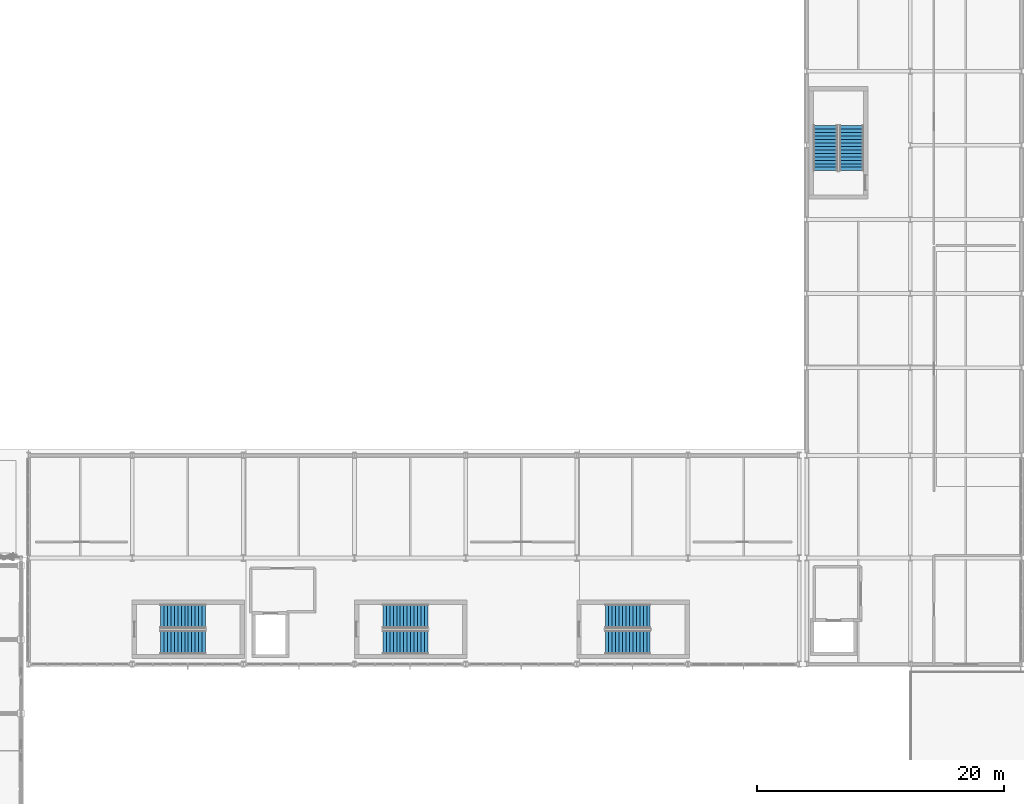
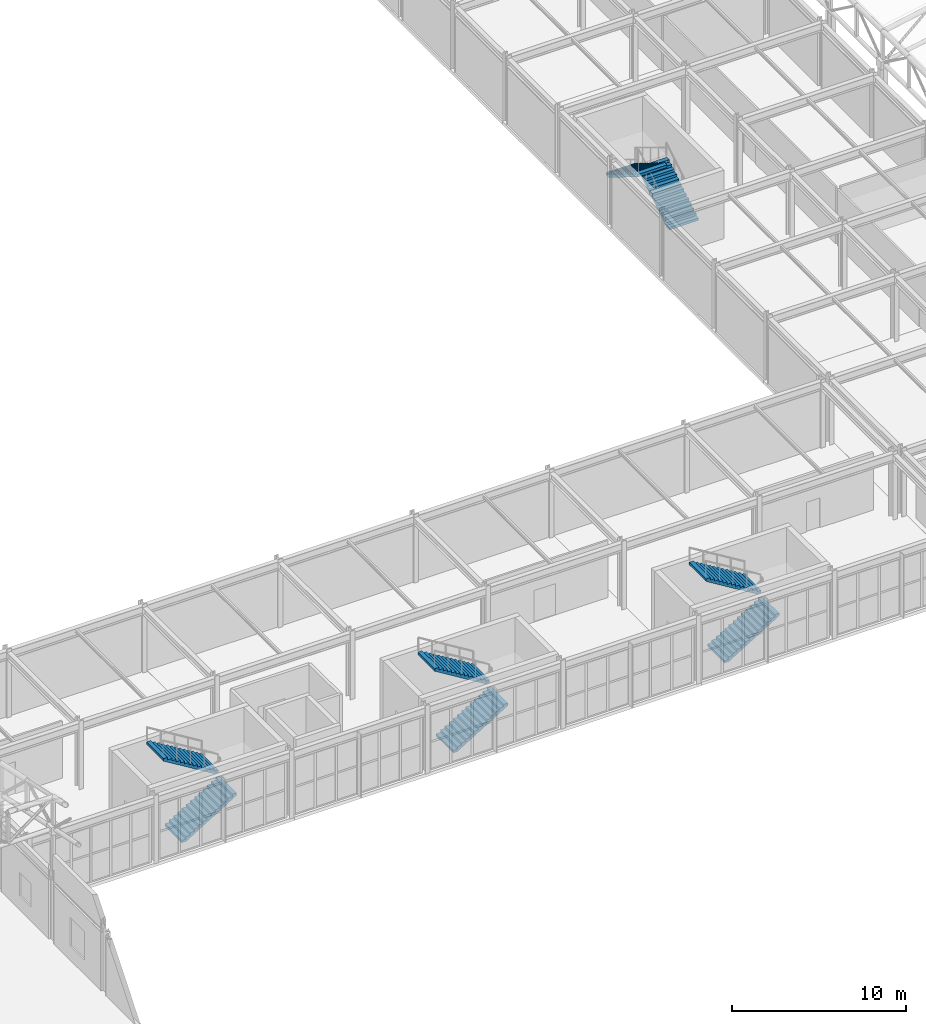
# One storey, part 98 of 112: 8 stair flights, 4 elements without a shape of their own.
"""IFC4 building model written with IfcOpenShell, lengths in metres."""

from ifc_helpers import new_model, si_unit, direction, frame, origin, place, context, subcontext, project, spatial, polyline, outline, extrude, material, type_object, element, aggregate, save


model = new_model("IFC4")

# Units and contexts
model_context = context("Model", 3, precision=1e-05, world=origin(), true_north=direction((0.0, 1.0)))
body_context = subcontext(model_context, "Body", "Model", "MODEL_VIEW")
ifc_project = project(units=[si_unit("LENGTHUNIT", "METRE"), si_unit("AREAUNIT", "SQUARE_METRE"), si_unit("VOLUMEUNIT", "CUBIC_METRE"), si_unit("PLANEANGLEUNIT", "RADIAN"), si_unit("MASSUNIT", "GRAM", prefix="KILO")], contexts=[model_context])

# Site, building, storey
site_placement = place(None, origin())
site = spatial("IfcSite", under=ifc_project, at=site_placement, CompositionType="ELEMENT")
building_placement = place(site_placement, origin())
building = spatial("IfcBuilding", under=site, at=building_placement, Name="Kaldris Quays Convention Centre", CompositionType="ELEMENT")
storey_placement = place(building_placement, frame((0.0, 0.0, 16.800048828125)))
storey = spatial("IfcBuildingStorey", under=building, at=storey_placement, Name="L03", CompositionType="ELEMENT", Elevation=16.800048828125)

# Stair, stair flights
ifc_material = material(Name="Concrete C35/45", Category="concrete")
stair_type = type_object("IfcStairType", Name="DOGLEG ESCAPE STAIR STF3", PredefinedType="TWO_STRAIGHT_RUN_STAIR", material=ifc_material)
stair_1_placement = place(storey_placement, origin())
stair_1 = element("IfcStair", 1, at=stair_1_placement, inside=storey, type_object=stair_type, Name="L03 Escape Stair ST11", PredefinedType="TWO_STRAIGHT_RUN_STAIR")
stair_flight_type = type_object("IfcStairFlightType", Name="STAIR FLIGHT SF03", PredefinedType="STRAIGHT", material=ifc_material)
stair_flight_1_placement = place(storey_placement, frame((94.300048828125, 39.77490234375, 0.0), z_axis=(0.0, 0.0, 1.0), x_axis=(1.0, 0.0, 0.0)))
stair_flight_1 = element("IfcStairFlight", 2, at=stair_flight_1_placement, type_object=stair_flight_type, Name="STF3 flight 1", NumberOfRisers=14, NumberOfTreads=13, PredefinedType="STRAIGHT", RiserHeight=0.171428571, TreadLength=0.28, context=body_context, shape_type="SweptSolid", body=[
    extrude(outline(polyline([(0.0, 0.0), (0.0, 0.17138671875), (0.280029296875, 0.17138671875), (0.280029296875, 0.3427734375), (0.56005859375, 0.3427734375), (0.56005859375, 0.514404296875), (0.840087890625, 0.514404296875), (0.840087890625, 0.685791015625), (1.1201171875, 0.685791015625), (1.1201171875, 0.857177734375), (1.39990234375, 0.857177734375), (1.39990234375, 1.028564453125), (1.679931640625, 1.028564453125), (1.679931640625, 1.199951171875), (1.9599609375, 1.199951171875), (1.9599609375, 1.371337890625), (2.239990234375, 1.371337890625), (2.239990234375, 1.54296875), (2.52001953125, 1.54296875), (2.52001953125, 1.71435546875), (2.800048828125, 1.71435546875), (2.800048828125, 1.8857421875), (3.080078125, 1.8857421875), (3.080078125, 2.05712890625), (3.360107421875, 2.05712890625), (3.360107421875, 2.228515625), (3.639892578125, 2.228515625), (3.639892578125, 2.39990234375), (3.639892578125, 2.052734375), (0.287109375, 0.0), (0.0, 0.0)])), frame((0.0, 0.97509765625, 0.0), z_axis=(0.0, -1.0, 0.0), x_axis=(1.0, 0.0, 0.0)), (0.0, 0.0, 1.0), 1.949951171875),
])
stair_flight_2_placement = place(storey_placement, frame((97.93994140625, 41.875, 2.39990234375), z_axis=(0.0, 0.0, 1.0), x_axis=(-1.0, 0.0, 0.0)))
stair_flight_2 = element("IfcStairFlight", 3, at=stair_flight_2_placement, type_object=stair_flight_type, Name="STF3 flight 2", NumberOfRisers=14, NumberOfTreads=13, PredefinedType="STRAIGHT", RiserHeight=0.171428571, TreadLength=0.28, context=body_context, shape_type="SweptSolid", body=[
    extrude(outline(polyline([(0.0, 0.0), (0.0, 0.17138671875), (0.280029296875, 0.17138671875), (0.280029296875, 0.3427734375), (0.56005859375, 0.3427734375), (0.56005859375, 0.514404296875), (0.840087890625, 0.514404296875), (0.840087890625, 0.685791015625), (1.1201171875, 0.685791015625), (1.1201171875, 0.857177734375), (1.39990234375, 0.857177734375), (1.39990234375, 1.028564453125), (1.679931640625, 1.028564453125), (1.679931640625, 1.199951171875), (1.9599609375, 1.199951171875), (1.9599609375, 1.371337890625), (2.239990234375, 1.371337890625), (2.239990234375, 1.54296875), (2.52001953125, 1.54296875), (2.52001953125, 1.71435546875), (2.800048828125, 1.71435546875), (2.800048828125, 1.8857421875), (3.080078125, 1.8857421875), (3.080078125, 2.05712890625), (3.360107421875, 2.05712890625), (3.360107421875, 2.228515625), (3.639892578125, 2.228515625), (3.639892578125, 2.39990234375), (3.639892578125, 2.052734375), (0.287109375, 0.0), (0.0, 0.0)])), frame((0.0, 0.97509765625, 0.0), z_axis=(0.0, -1.0, 0.0), x_axis=(1.0, 0.0, 0.0)), (0.0, 0.0, 1.0), 1.949951171875),
])
aggregate(stair_1, [stair_flight_1, stair_flight_2])

stair_2_placement = place(storey_placement, origin())
stair_2 = element("IfcStair", 4, at=stair_2_placement, inside=storey, type_object=stair_type, Name="L03 Escape Stair ST12", PredefinedType="TWO_STRAIGHT_RUN_STAIR")
stair_flight_3_placement = place(storey_placement, frame((130.300048828125, 39.77490234375, 0.0), z_axis=(0.0, 0.0, 1.0), x_axis=(1.0, 0.0, 0.0)))
stair_flight_3 = element("IfcStairFlight", 5, at=stair_flight_3_placement, type_object=stair_flight_type, Name="STF3 flight 1", NumberOfRisers=14, NumberOfTreads=13, PredefinedType="STRAIGHT", RiserHeight=0.171428571, TreadLength=0.28, context=body_context, shape_type="SweptSolid", body=[
    extrude(outline(polyline([(0.0, 0.0), (0.0, 0.17138671875), (0.280029296875, 0.17138671875), (0.280029296875, 0.3427734375), (0.56005859375, 0.3427734375), (0.56005859375, 0.514404296875), (0.840087890625, 0.514404296875), (0.840087890625, 0.685791015625), (1.1201171875, 0.685791015625), (1.1201171875, 0.857177734375), (1.39990234375, 0.857177734375), (1.39990234375, 1.028564453125), (1.679931640625, 1.028564453125), (1.679931640625, 1.199951171875), (1.9599609375, 1.199951171875), (1.9599609375, 1.371337890625), (2.239990234375, 1.371337890625), (2.239990234375, 1.54296875), (2.52001953125, 1.54296875), (2.52001953125, 1.71435546875), (2.800048828125, 1.71435546875), (2.800048828125, 1.8857421875), (3.080078125, 1.8857421875), (3.080078125, 2.05712890625), (3.360107421875, 2.05712890625), (3.360107421875, 2.228515625), (3.639892578125, 2.228515625), (3.639892578125, 2.39990234375), (3.639892578125, 2.052734375), (0.287109375, 0.0), (0.0, 0.0)])), frame((0.0, 0.97509765625, 0.0), z_axis=(0.0, -1.0, 0.0), x_axis=(1.0, 0.0, 0.0)), (0.0, 0.0, 1.0), 1.949951171875),
])
stair_flight_4_placement = place(storey_placement, frame((133.93994140625, 41.875, 2.39990234375), z_axis=(0.0, 0.0, 1.0), x_axis=(-1.0, 0.0, 0.0)))
stair_flight_4 = element("IfcStairFlight", 6, at=stair_flight_4_placement, type_object=stair_flight_type, Name="STF3 flight 2", NumberOfRisers=14, NumberOfTreads=13, PredefinedType="STRAIGHT", RiserHeight=0.171428571, TreadLength=0.28, context=body_context, shape_type="SweptSolid", body=[
    extrude(outline(polyline([(0.0, 0.0), (0.0, 0.17138671875), (0.280029296875, 0.17138671875), (0.280029296875, 0.3427734375), (0.56005859375, 0.3427734375), (0.56005859375, 0.514404296875), (0.840087890625, 0.514404296875), (0.840087890625, 0.685791015625), (1.1201171875, 0.685791015625), (1.1201171875, 0.857177734375), (1.39990234375, 0.857177734375), (1.39990234375, 1.028564453125), (1.679931640625, 1.028564453125), (1.679931640625, 1.199951171875), (1.9599609375, 1.199951171875), (1.9599609375, 1.371337890625), (2.239990234375, 1.371337890625), (2.239990234375, 1.54296875), (2.52001953125, 1.54296875), (2.52001953125, 1.71435546875), (2.800048828125, 1.71435546875), (2.800048828125, 1.8857421875), (3.080078125, 1.8857421875), (3.080078125, 2.05712890625), (3.360107421875, 2.05712890625), (3.360107421875, 2.228515625), (3.639892578125, 2.228515625), (3.639892578125, 2.39990234375), (3.639892578125, 2.052734375), (0.287109375, 0.0), (0.0, 0.0)])), frame((0.0, 0.97509765625, 0.0), z_axis=(0.0, -1.0, 0.0), x_axis=(1.0, 0.0, 0.0)), (0.0, 0.0, 1.0), 1.949951171875),
])
aggregate(stair_2, [stair_flight_3, stair_flight_4])

stair_3_placement = place(storey_placement, origin())
stair_3 = element("IfcStair", 7, at=stair_3_placement, inside=storey, type_object=stair_type, Name="L03 Escape Stair ST13", PredefinedType="TWO_STRAIGHT_RUN_STAIR")
stair_flight_5_placement = place(storey_placement, frame((112.300048828125, 39.77490234375, 0.0), z_axis=(0.0, 0.0, 1.0), x_axis=(1.0, 0.0, 0.0)))
stair_flight_5 = element("IfcStairFlight", 8, at=stair_flight_5_placement, type_object=stair_flight_type, Name="STF3 flight 1", NumberOfRisers=14, NumberOfTreads=13, PredefinedType="STRAIGHT", RiserHeight=0.171428571, TreadLength=0.28, context=body_context, shape_type="SweptSolid", body=[
    extrude(outline(polyline([(0.0, 0.0), (0.0, 0.17138671875), (0.280029296875, 0.17138671875), (0.280029296875, 0.3427734375), (0.56005859375, 0.3427734375), (0.56005859375, 0.514404296875), (0.840087890625, 0.514404296875), (0.840087890625, 0.685791015625), (1.1201171875, 0.685791015625), (1.1201171875, 0.857177734375), (1.39990234375, 0.857177734375), (1.39990234375, 1.028564453125), (1.679931640625, 1.028564453125), (1.679931640625, 1.199951171875), (1.9599609375, 1.199951171875), (1.9599609375, 1.371337890625), (2.239990234375, 1.371337890625), (2.239990234375, 1.54296875), (2.52001953125, 1.54296875), (2.52001953125, 1.71435546875), (2.800048828125, 1.71435546875), (2.800048828125, 1.8857421875), (3.080078125, 1.8857421875), (3.080078125, 2.05712890625), (3.360107421875, 2.05712890625), (3.360107421875, 2.228515625), (3.639892578125, 2.228515625), (3.639892578125, 2.39990234375), (3.639892578125, 2.052734375), (0.287109375, 0.0), (0.0, 0.0)])), frame((0.0, 0.97509765625, 0.0), z_axis=(0.0, -1.0, 0.0), x_axis=(1.0, 0.0, 0.0)), (0.0, 0.0, 1.0), 1.949951171875),
])
stair_flight_6_placement = place(storey_placement, frame((115.93994140625, 41.875, 2.39990234375), z_axis=(0.0, 0.0, 1.0), x_axis=(-1.0, 0.0, 0.0)))
stair_flight_6 = element("IfcStairFlight", 9, at=stair_flight_6_placement, type_object=stair_flight_type, Name="STF3 flight 2", NumberOfRisers=14, NumberOfTreads=13, PredefinedType="STRAIGHT", RiserHeight=0.171428571, TreadLength=0.28, context=body_context, shape_type="SweptSolid", body=[
    extrude(outline(polyline([(0.0, 0.0), (0.0, 0.17138671875), (0.280029296875, 0.17138671875), (0.280029296875, 0.3427734375), (0.56005859375, 0.3427734375), (0.56005859375, 0.514404296875), (0.840087890625, 0.514404296875), (0.840087890625, 0.685791015625), (1.1201171875, 0.685791015625), (1.1201171875, 0.857177734375), (1.39990234375, 0.857177734375), (1.39990234375, 1.028564453125), (1.679931640625, 1.028564453125), (1.679931640625, 1.199951171875), (1.9599609375, 1.199951171875), (1.9599609375, 1.371337890625), (2.239990234375, 1.371337890625), (2.239990234375, 1.54296875), (2.52001953125, 1.54296875), (2.52001953125, 1.71435546875), (2.800048828125, 1.71435546875), (2.800048828125, 1.8857421875), (3.080078125, 1.8857421875), (3.080078125, 2.05712890625), (3.360107421875, 2.05712890625), (3.360107421875, 2.228515625), (3.639892578125, 2.228515625), (3.639892578125, 2.39990234375), (3.639892578125, 2.052734375), (0.287109375, 0.0), (0.0, 0.0)])), frame((0.0, 0.97509765625, 0.0), z_axis=(0.0, -1.0, 0.0), x_axis=(1.0, 0.0, 0.0)), (0.0, 0.0, 1.0), 1.949951171875),
])
aggregate(stair_3, [stair_flight_5, stair_flight_6])

stair_4_placement = place(storey_placement, origin())
stair_4 = element("IfcStair", 10, at=stair_4_placement, inside=storey, type_object=stair_type, Name="L03 Escape Stair ST14", PredefinedType="TWO_STRAIGHT_RUN_STAIR")
stair_flight_7_placement = place(storey_placement, frame((150.22509765625, 77.949951171875, 0.0), z_axis=(0.0, 0.0, 1.0), x_axis=(0.0, 1.0, 0.0)))
stair_flight_7 = element("IfcStairFlight", 11, at=stair_flight_7_placement, type_object=stair_flight_type, Name="STF3 flight 1", NumberOfRisers=14, NumberOfTreads=13, PredefinedType="STRAIGHT", RiserHeight=0.171428571, TreadLength=0.28, context=body_context, shape_type="SweptSolid", body=[
    extrude(outline(polyline([(0.0, 0.0), (0.0, 0.17138671875), (0.280029296875, 0.17138671875), (0.280029296875, 0.3427734375), (0.56005859375, 0.3427734375), (0.56005859375, 0.514404296875), (0.840087890625, 0.514404296875), (0.840087890625, 0.685791015625), (1.1201171875, 0.685791015625), (1.1201171875, 0.857177734375), (1.39990234375, 0.857177734375), (1.39990234375, 1.028564453125), (1.679931640625, 1.028564453125), (1.679931640625, 1.199951171875), (1.9599609375, 1.199951171875), (1.9599609375, 1.371337890625), (2.239990234375, 1.371337890625), (2.239990234375, 1.54296875), (2.52001953125, 1.54296875), (2.52001953125, 1.71435546875), (2.800048828125, 1.71435546875), (2.800048828125, 1.8857421875), (3.080078125, 1.8857421875), (3.080078125, 2.05712890625), (3.360107421875, 2.05712890625), (3.360107421875, 2.228515625), (3.639892578125, 2.228515625), (3.639892578125, 2.39990234375), (3.639892578125, 2.052734375), (0.287109375, 0.0), (0.0, 0.0)])), frame((0.0, 0.97509765625, 0.0), z_axis=(0.0, -1.0, 0.0), x_axis=(1.0, 0.0, 0.0)), (0.0, 0.0, 1.0), 1.949951171875),
])
stair_flight_8_placement = place(storey_placement, frame((148.125, 81.590087890625, 2.39990234375), z_axis=(0.0, 0.0, 1.0), x_axis=(0.0, -1.0, 0.0)))
stair_flight_8 = element("IfcStairFlight", 12, at=stair_flight_8_placement, type_object=stair_flight_type, Name="STF3 flight 2", NumberOfRisers=14, NumberOfTreads=13, PredefinedType="STRAIGHT", RiserHeight=0.171428571, TreadLength=0.28, context=body_context, shape_type="SweptSolid", body=[
    extrude(outline(polyline([(0.0, 0.0), (0.0, 0.17138671875), (0.280029296875, 0.17138671875), (0.280029296875, 0.3427734375), (0.56005859375, 0.3427734375), (0.56005859375, 0.514404296875), (0.840087890625, 0.514404296875), (0.840087890625, 0.685791015625), (1.1201171875, 0.685791015625), (1.1201171875, 0.857177734375), (1.39990234375, 0.857177734375), (1.39990234375, 1.028564453125), (1.679931640625, 1.028564453125), (1.679931640625, 1.199951171875), (1.9599609375, 1.199951171875), (1.9599609375, 1.371337890625), (2.239990234375, 1.371337890625), (2.239990234375, 1.54296875), (2.52001953125, 1.54296875), (2.52001953125, 1.71435546875), (2.800048828125, 1.71435546875), (2.800048828125, 1.8857421875), (3.080078125, 1.8857421875), (3.080078125, 2.05712890625), (3.360107421875, 2.05712890625), (3.360107421875, 2.228515625), (3.639892578125, 2.228515625), (3.639892578125, 2.39990234375), (3.639892578125, 2.052734375), (0.287109375, 0.0), (0.0, 0.0)])), frame((0.0, 0.97509765625, 0.0), z_axis=(0.0, -1.0, 0.0), x_axis=(1.0, 0.0, 0.0)), (0.0, 0.0, 1.0), 1.949951171875),
])
aggregate(stair_4, [stair_flight_7, stair_flight_8])

save(model, "model.ifc")
